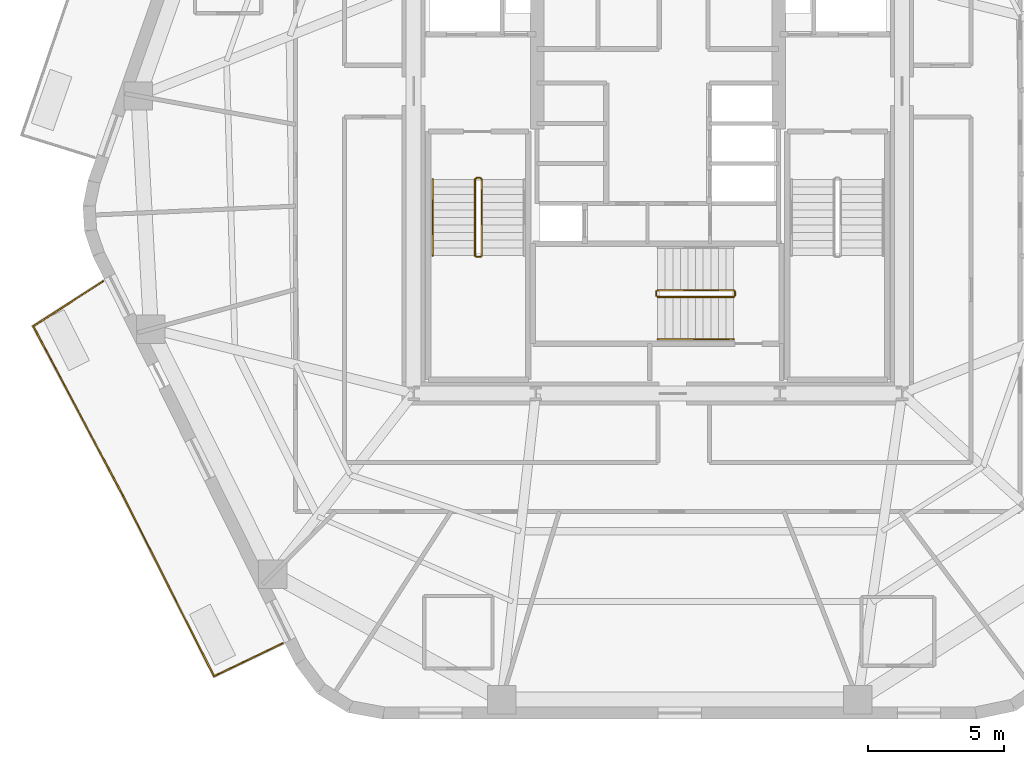
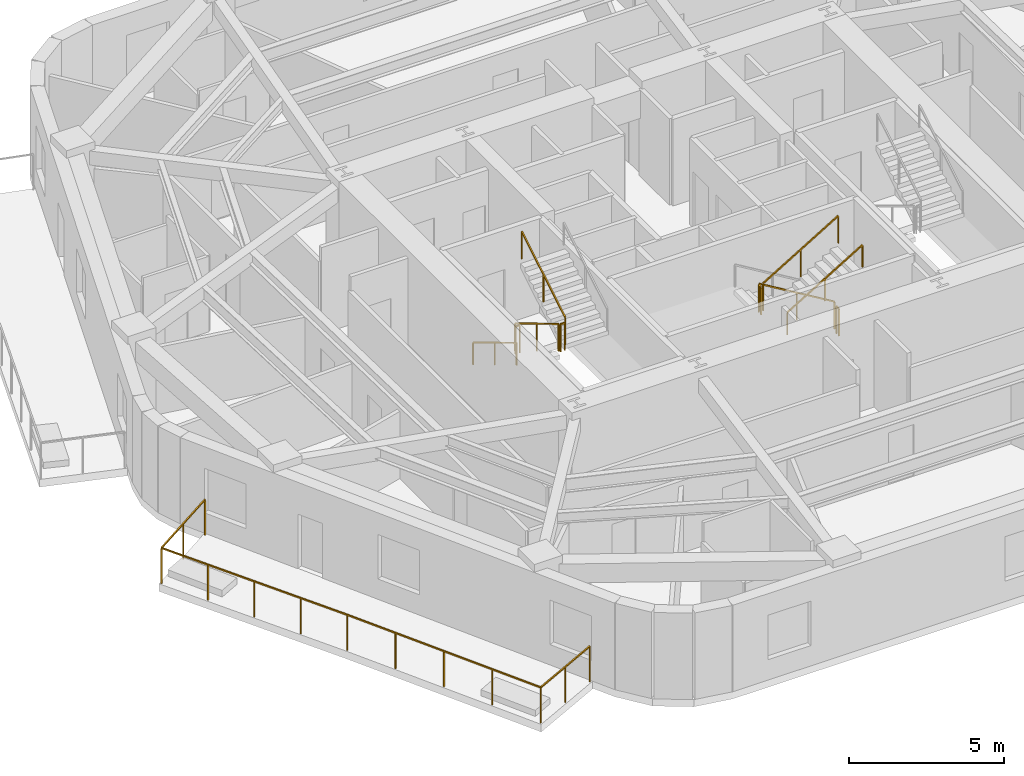
# One storey, part 8 of 10: 11 railings.
"""IFC4 building model written with IfcOpenShell, lengths in metres."""

from ifc_helpers import new_model, si_unit, direction, frame, origin, origin_2d, place, context, subcontext, project, spatial, rectangle, extrude, material, layer, layer_set, type_object, element, save


model = new_model("IFC4")

# Units and contexts
model_context = context("Model", 3, precision=1e-05, world=origin(), true_north=direction((0.0, 1.0)))
body_context = subcontext(model_context, "Body", "Model", "MODEL_VIEW")
ifc_project = project(units=[si_unit("LENGTHUNIT", "METRE"), si_unit("AREAUNIT", "SQUARE_METRE"), si_unit("VOLUMEUNIT", "CUBIC_METRE"), si_unit("PLANEANGLEUNIT", "RADIAN"), si_unit("MASSUNIT", "GRAM", prefix="KILO")], contexts=[model_context])

# Site, building, storey
site_placement = place(None, origin())
site = spatial("IfcSite", under=ifc_project, at=site_placement, CompositionType="ELEMENT")
building_placement = place(site_placement, origin())
building = spatial("IfcBuilding", under=site, at=building_placement, Name="Kilnhurst Terrace Hotel", CompositionType="ELEMENT")
storey_placement = place(building_placement, frame((0.0, 0.0, 144.300048828125)))
storey = spatial("IfcBuildingStorey", under=building, at=storey_placement, Name="L35", CompositionType="ELEMENT", Elevation=144.300048828125)

# Railings
ifc_material_1 = material(Name="Laminated SentryGlas and Stainless Steel AISI 316L Balustrade", Category="steel")
ifc_layer_1 = layer(ifc_material_1, 0.070068359375, Name="Laminated SentryGlas and Stainless Steel AISI 316L Balustrade")
ifc_layer_set_1 = layer_set([ifc_layer_1], Name="Laminated SentryGlas and Stainless Steel AISI 316L Balustrade")
railing_type_1 = type_object("IfcRailingType", Name="RLG-BAL-1420", PredefinedType="BALUSTRADE", material=ifc_layer_set_1)
railing_1_placement = place(storey_placement, frame((-13.83544921875, -16.709716796875, 0.0)))
element("IfcRailing", 1, at=railing_1_placement, inside=storey, type_object=railing_type_1, Name="L35 Exterior Terrace Guardrail BAL-L2B.1", PredefinedType="BALUSTRADE", context=body_context, shape_type="SweptSolid", body=[
    extrude(rectangle(XDim=0.048095703125, YDim=0.048095703125, at=origin_2d()), frame((0.0, 0.0, 1.39599609375), z_axis=(-0.901469931109, -0.43284173009, 0.0), x_axis=(0.43284173009, -0.901469931109, 0.0)), (0.0, 0.0, 1.0), 2.797119140625),
    extrude(rectangle(XDim=0.048095703125, YDim=0.048095703125, at=origin_2d()), frame((-2.521484375, -1.210693359375, 1.39599609375), z_axis=(-0.450616671131, 0.892717545307, 0.0), x_axis=(-0.892717545307, -0.450616671131, 0.0)), (0.0, 0.0, 1.0), 7.453857421875),
    extrude(rectangle(XDim=0.048095703125, YDim=0.048095703125, at=origin_2d()), frame((-5.88037109375, 5.443603515625, 1.39599609375), z_axis=(-0.4472135955, 0.894427191, 0.0), x_axis=(-0.894427191, -0.4472135955, 0.0)), (0.0, 0.0, 1.0), 0.0009765625),
    extrude(rectangle(XDim=0.048095703125, YDim=0.048095703125, at=origin_2d()), frame((-5.880859375, 5.444580078125, 1.39599609375), z_axis=(-0.46789407085, 0.883784554325, 0.0), x_axis=(-0.883784554325, -0.46789407085, 0.0)), (0.0, 0.0, 1.0), 7.0654296875),
    extrude(rectangle(XDim=0.048095703125, YDim=0.048095703125, at=origin_2d()), frame((-9.186767578125, 11.68896484375, 1.39599609375), z_axis=(0.841139546062, 0.540818143233, 0.0), x_axis=(-0.540818143233, 0.841139546062, 0.0)), (0.0, 0.0, 1.0), 3.056640625),
    extrude(rectangle(XDim=0.0419921875, YDim=0.0419921875, at=origin_2d()), origin(), (0.0, 0.0, 1.0), 1.371826171875),
    extrude(rectangle(XDim=0.0419921875, YDim=0.0419921875, at=origin_2d()), frame((-1.2607421875, -0.60546875, 0.0)), (0.0, 0.0, 1.0), 1.371826171875),
    extrude(rectangle(XDim=0.0419921875, YDim=0.0419921875, at=origin_2d()), frame((-2.521484375, -1.210693359375, 0.0)), (0.0, 0.0, 1.0), 1.371826171875),
    extrude(rectangle(XDim=0.0419921875, YDim=0.0419921875, at=origin_2d()), frame((-3.361328125, 0.452880859375, 0.0)), (0.0, 0.0, 1.0), 1.371826171875),
    extrude(rectangle(XDim=0.0419921875, YDim=0.0419921875, at=origin_2d()), frame((-4.200927734375, 2.116455078125, 0.0)), (0.0, 0.0, 1.0), 1.371826171875),
    extrude(rectangle(XDim=0.0419921875, YDim=0.0419921875, at=origin_2d()), frame((-5.04052734375, 3.780029296875, 0.0)), (0.0, 0.0, 1.0), 1.371826171875),
    extrude(rectangle(XDim=0.0419921875, YDim=0.0419921875, at=origin_2d()), frame((-5.88037109375, 5.443603515625, 0.0)), (0.0, 0.0, 1.0), 1.371826171875),
    extrude(rectangle(XDim=0.0419921875, YDim=0.0419921875, at=origin_2d()), frame((-5.880859375, 5.444580078125, 0.0)), (0.0, 0.0, 1.0), 1.371826171875),
    extrude(rectangle(XDim=0.0419921875, YDim=0.0419921875, at=origin_2d()), frame((-6.707275390625, 7.005615234375, 0.0)), (0.0, 0.0, 1.0), 1.371826171875),
    extrude(rectangle(XDim=0.0419921875, YDim=0.0419921875, at=origin_2d()), frame((-7.53369140625, 8.56689453125, 0.0)), (0.0, 0.0, 1.0), 1.371826171875),
    extrude(rectangle(XDim=0.0419921875, YDim=0.0419921875, at=origin_2d()), frame((-8.3603515625, 10.1279296875, 0.0)), (0.0, 0.0, 1.0), 1.371826171875),
    extrude(rectangle(XDim=0.0419921875, YDim=0.0419921875, at=origin_2d()), frame((-9.186767578125, 11.68896484375, 0.0)), (0.0, 0.0, 1.0), 1.371826171875),
    extrude(rectangle(XDim=0.0419921875, YDim=0.0419921875, at=origin_2d()), frame((-7.9013671875, 12.515625, 0.0)), (0.0, 0.0, 1.0), 1.371826171875),
    extrude(rectangle(XDim=0.0419921875, YDim=0.0419921875, at=origin_2d()), frame((-6.61572265625, 13.342041015625, 0.0)), (0.0, 0.0, 1.0), 1.371826171875),
])
ifc_material_2 = material(Name="Powder-Coated Steel ASTM A500 Grade B", Category="steel")
ifc_layer_2 = layer(ifc_material_2, 0.050048828125, Name="Powder-Coated Steel ASTM A500 Grade B")
ifc_layer_set_2 = layer_set([ifc_layer_2], Name="Powder-Coated Steel ASTM A500 Grade B")
railing_type_2 = type_object("IfcRailingType", Name="RLG-ST-GRD-1100", PredefinedType="GUARDRAIL", material=ifc_layer_set_2)
railing_2_placement = place(storey_placement, frame((-6.739990234375, 0.389892578125, 0.168212890625)))
element("IfcRailing", 2, at=railing_2_placement, inside=storey, type_object=railing_type_2, Name="L35 ST-1 stair guard 1", PredefinedType="GUARDRAIL", context=body_context, shape_type="SweptSolid", body=[
    extrude(rectangle(XDim=0.048095703125, YDim=0.048095703125, at=origin_2d()), frame((0.0, 0.0, 1.076171875), z_axis=(0.0, -0.857255387014, 0.514891446264), x_axis=(1.0, 0.0, 0.0)), (0.0, 0.0, 1.0), 3.26611328125),
    extrude(rectangle(XDim=0.0419921875, YDim=0.0419921875, at=origin_2d()), origin(), (0.0, 0.0, 1.0), 1.052001953125),
    extrude(rectangle(XDim=0.0419921875, YDim=0.0419921875, at=origin_2d()), frame((0.0, -1.39990234375, 0.8408203125)), (0.0, 0.0, 1.0), 1.052001953125),
    extrude(rectangle(XDim=0.0419921875, YDim=0.0419921875, at=origin_2d()), frame((0.0, -2.7998046875, 1.681640625)), (0.0, 0.0, 1.0), 1.052001953125),
])
railing_3_placement = place(storey_placement, frame((-6.68994140625, -2.4599609375, 1.849853515625)))
element("IfcRailing", 3, at=railing_3_placement, inside=storey, type_object=railing_type_2, Name="L35 ST-1 stair guard 2", PredefinedType="GUARDRAIL", context=body_context, shape_type="SweptSolid", body=[
    extrude(rectangle(XDim=0.048095703125, YDim=0.048095703125, at=origin_2d()), frame((0.0, 0.0, 1.076171875), z_axis=(1.0, 0.0, 0.0), x_axis=(0.0, 1.0, 0.0)), (0.0, 0.0, 1.0), 0.14990234375),
    extrude(rectangle(XDim=0.0419921875, YDim=0.0419921875, at=origin_2d()), origin(), (0.0, 0.0, 1.0), 1.052001953125),
    extrude(rectangle(XDim=0.0419921875, YDim=0.0419921875, at=origin_2d()), frame((0.14990234375, 0.0, 0.0)), (0.0, 0.0, 1.0), 1.052001953125),
])
railing_4_placement = place(storey_placement, frame((-6.489990234375, -2.409912109375, 2.01806640625)))
element("IfcRailing", 4, at=railing_4_placement, inside=storey, type_object=railing_type_2, Name="L35 ST-1 stair guard 3", PredefinedType="GUARDRAIL", context=body_context, shape_type="SweptSolid", body=[
    extrude(rectangle(XDim=0.048095703125, YDim=0.048095703125, at=origin_2d()), frame((0.0, 0.0, 1.076171875), z_axis=(0.0, 0.857222391501, 0.514946377315), x_axis=(-1.0, 0.0, 0.0)), (0.0, 0.0, 1.0), 3.26611328125),
    extrude(rectangle(XDim=0.0419921875, YDim=0.0419921875, at=origin_2d()), origin(), (0.0, 0.0, 1.0), 1.052001953125),
    extrude(rectangle(XDim=0.0419921875, YDim=0.0419921875, at=origin_2d()), frame((0.0, 1.39990234375, 0.8408203125)), (0.0, 0.0, 1.0), 1.052001953125),
    extrude(rectangle(XDim=0.0419921875, YDim=0.0419921875, at=origin_2d()), frame((0.0, 2.7998046875, 1.681884765625)), (0.0, 0.0, 1.0), 1.052001953125),
])
railing_5_placement = place(storey_placement, frame((-6.68994140625, 0.43994140625, 0.0)))
element("IfcRailing", 5, at=railing_5_placement, inside=storey, type_object=railing_type_2, Name="L35 ST-1 stair guard 4", PredefinedType="GUARDRAIL", context=body_context, shape_type="SweptSolid", body=[
    extrude(rectangle(XDim=0.048095703125, YDim=0.048095703125, at=origin_2d()), frame((0.0, 0.0, 1.076171875), z_axis=(1.0, 0.0, 0.0), x_axis=(0.0, 1.0, 0.0)), (0.0, 0.0, 1.0), 0.14990234375),
    extrude(rectangle(XDim=0.0419921875, YDim=0.0419921875, at=origin_2d()), origin(), (0.0, 0.0, 1.0), 1.052001953125),
    extrude(rectangle(XDim=0.0419921875, YDim=0.0419921875, at=origin_2d()), frame((0.14990234375, 0.0, 0.0)), (0.0, 0.0, 1.0), 1.052001953125),
])
railing_6_placement = place(storey_placement, frame((2.7900390625, -3.68994140625, 0.168212890625)))
element("IfcRailing", 6, at=railing_6_placement, inside=storey, type_object=railing_type_2, Name="L35 ST-3 stair guard 1", PredefinedType="GUARDRAIL", context=body_context, shape_type="SweptSolid", body=[
    extrude(rectangle(XDim=0.048095703125, YDim=0.048095703125, at=origin_2d()), frame((0.0, 0.0, 1.076171875), z_axis=(-0.857275202839, 0.0, 0.514858452973), x_axis=(0.0, -1.0, 0.0)), (0.0, 0.0, 1.0), 3.26611328125),
    extrude(rectangle(XDim=0.0419921875, YDim=0.0419921875, at=origin_2d()), origin(), (0.0, 0.0, 1.0), 1.052001953125),
    extrude(rectangle(XDim=0.0419921875, YDim=0.0419921875, at=origin_2d()), frame((-1.39990234375, 0.0, 0.8408203125)), (0.0, 0.0, 1.0), 1.052001953125),
    extrude(rectangle(XDim=0.0419921875, YDim=0.0419921875, at=origin_2d()), frame((-2.800048828125, 0.0, 1.681640625)), (0.0, 0.0, 1.0), 1.052001953125),
])
railing_7_placement = place(storey_placement, frame((-0.06005859375, -3.739990234375, 1.849853515625)))
element("IfcRailing", 7, at=railing_7_placement, inside=storey, type_object=railing_type_2, Name="L35 ST-3 stair guard 2", PredefinedType="GUARDRAIL", context=body_context, shape_type="SweptSolid", body=[
    extrude(rectangle(XDim=0.048095703125, YDim=0.048095703125, at=origin_2d()), frame((0.0, 0.0, 1.076171875), z_axis=(0.0, -1.0, 0.0), x_axis=(1.0, 0.0, 0.0)), (0.0, 0.0, 1.0), 0.14990234375),
    extrude(rectangle(XDim=0.0419921875, YDim=0.0419921875, at=origin_2d()), origin(), (0.0, 0.0, 1.0), 1.052001953125),
    extrude(rectangle(XDim=0.0419921875, YDim=0.0419921875, at=origin_2d()), frame((0.0, -0.14990234375, 0.0)), (0.0, 0.0, 1.0), 1.052001953125),
])
railing_8_placement = place(storey_placement, frame((-0.010009765625, -3.93994140625, 2.01806640625)))
element("IfcRailing", 8, at=railing_8_placement, inside=storey, type_object=railing_type_2, Name="L35 ST-3 stair guard 3", PredefinedType="GUARDRAIL", context=body_context, shape_type="SweptSolid", body=[
    extrude(rectangle(XDim=0.048095703125, YDim=0.048095703125, at=origin_2d()), frame((0.0, 0.0, 1.076171875), z_axis=(0.857242210791, 0.0, 0.514913383045), x_axis=(0.0, 1.0, 0.0)), (0.0, 0.0, 1.0), 3.266357421875),
    extrude(rectangle(XDim=0.0419921875, YDim=0.0419921875, at=origin_2d()), origin(), (0.0, 0.0, 1.0), 1.052001953125),
    extrude(rectangle(XDim=0.0419921875, YDim=0.0419921875, at=origin_2d()), frame((1.39990234375, 0.0, 0.8408203125)), (0.0, 0.0, 1.0), 1.052001953125),
    extrude(rectangle(XDim=0.0419921875, YDim=0.0419921875, at=origin_2d()), frame((2.800048828125, 0.0, 1.681884765625)), (0.0, 0.0, 1.0), 1.052001953125),
])
railing_9_placement = place(storey_placement, frame((2.840087890625, -3.739990234375, 0.0)))
element("IfcRailing", 9, at=railing_9_placement, inside=storey, type_object=railing_type_2, Name="L35 ST-3 stair guard 4", PredefinedType="GUARDRAIL", context=body_context, shape_type="SweptSolid", body=[
    extrude(rectangle(XDim=0.048095703125, YDim=0.048095703125, at=origin_2d()), frame((0.0, 0.0, 1.076171875), z_axis=(0.0, -1.0, 0.0), x_axis=(1.0, 0.0, 0.0)), (0.0, 0.0, 1.0), 0.14990234375),
    extrude(rectangle(XDim=0.0419921875, YDim=0.0419921875, at=origin_2d()), origin(), (0.0, 0.0, 1.0), 1.052001953125),
    extrude(rectangle(XDim=0.0419921875, YDim=0.0419921875, at=origin_2d()), frame((0.0, -0.14990234375, 0.0)), (0.0, 0.0, 1.0), 1.052001953125),
])
ifc_material_3 = material(Name="Brushed Stainless Steel AISI 304", Category="steel")
ifc_layer_3 = layer(ifc_material_3, 0.048095703125, Name="Brushed Stainless Steel AISI 304")
ifc_layer_set_3 = layer_set([ifc_layer_3], Name="Brushed Stainless Steel AISI 304")
railing_type_3 = type_object("IfcRailingType", Name="RLG-ST-HRL-900", PredefinedType="HANDRAIL", material=ifc_layer_set_3)
railing_10_placement = place(storey_placement, frame((-8.300048828125, 0.389892578125, 0.168212890625)))
element("IfcRailing", 10, at=railing_10_placement, inside=storey, type_object=railing_type_3, Name="L35 ST-1 stair handrail 1", PredefinedType="HANDRAIL", context=body_context, shape_type="SweptSolid", body=[
    extrude(rectangle(XDim=0.048095703125, YDim=0.048095703125, at=origin_2d()), frame((0.0, 0.0, 0.8759765625), z_axis=(0.0, -0.857255387014, 0.514891446264), x_axis=(1.0, 0.0, 0.0)), (0.0, 0.0, 1.0), 3.26611328125),
    extrude(rectangle(XDim=0.0419921875, YDim=0.0419921875, at=origin_2d()), origin(), (0.0, 0.0, 1.0), 0.851806640625),
    extrude(rectangle(XDim=0.0419921875, YDim=0.0419921875, at=origin_2d()), frame((0.0, -1.39990234375, 0.8408203125)), (0.0, 0.0, 1.0), 0.851806640625),
    extrude(rectangle(XDim=0.0419921875, YDim=0.0419921875, at=origin_2d()), frame((0.0, -2.7998046875, 1.681640625)), (0.0, 0.0, 1.0), 0.851806640625),
])
railing_11_placement = place(storey_placement, frame((-0.010009765625, -5.5, 2.01806640625)))
element("IfcRailing", 11, at=railing_11_placement, inside=storey, type_object=railing_type_3, Name="L35 ST-3 stair handrail 2", PredefinedType="HANDRAIL", context=body_context, shape_type="SweptSolid", body=[
    extrude(rectangle(XDim=0.048095703125, YDim=0.048095703125, at=origin_2d()), frame((0.0, 0.0, 0.8759765625), z_axis=(0.857242210791, 0.0, 0.514913383045), x_axis=(0.0, 1.0, 0.0)), (0.0, 0.0, 1.0), 3.266357421875),
    extrude(rectangle(XDim=0.0419921875, YDim=0.0419921875, at=origin_2d()), origin(), (0.0, 0.0, 1.0), 0.851806640625),
    extrude(rectangle(XDim=0.0419921875, YDim=0.0419921875, at=origin_2d()), frame((1.39990234375, 0.0, 0.8408203125)), (0.0, 0.0, 1.0), 0.851806640625),
    extrude(rectangle(XDim=0.0419921875, YDim=0.0419921875, at=origin_2d()), frame((2.800048828125, 0.0, 1.681884765625)), (0.0, 0.0, 1.0), 0.851806640625),
])

save(model, "model.ifc")
